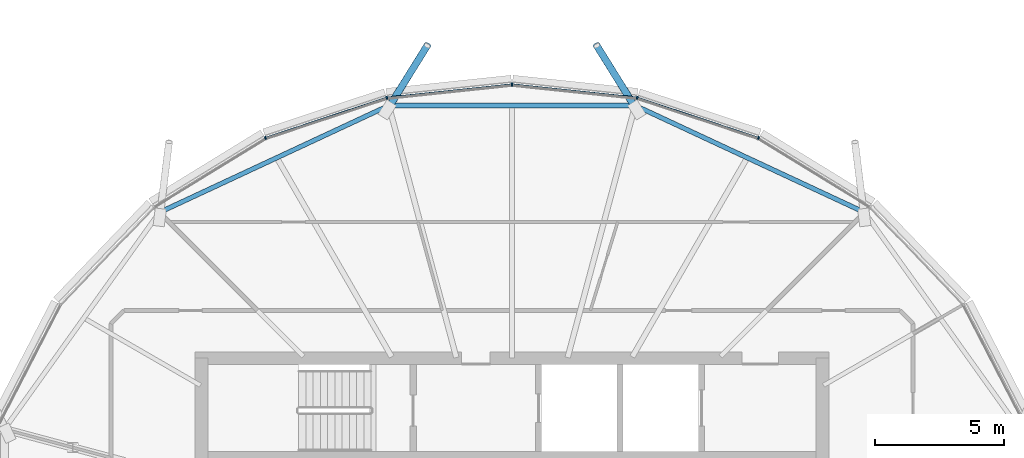
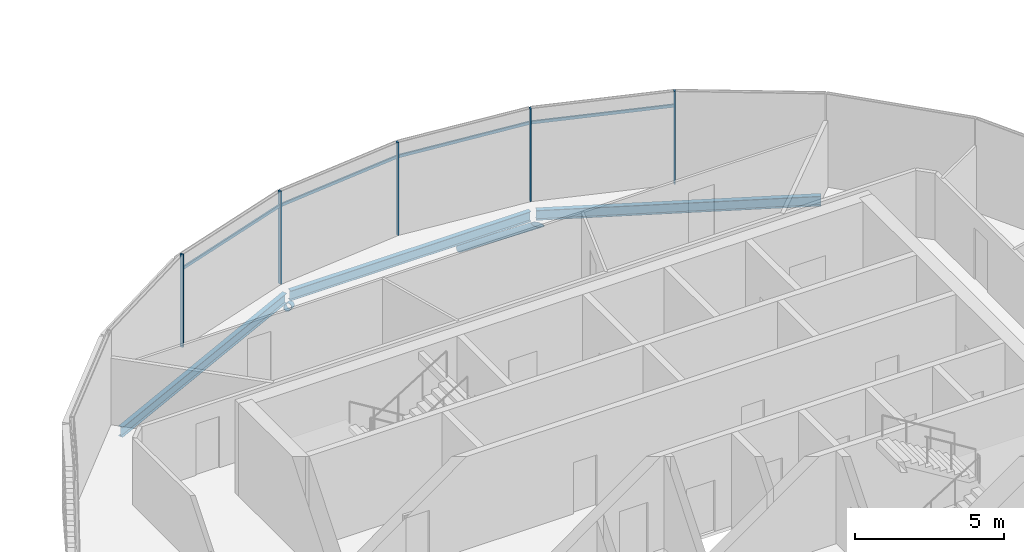
# One storey, part 9 of 35: 11 members, 3 beams, 1 element without a shape of its own.
"""IFC4 building model written with IfcOpenShell, lengths in metres."""

from ifc_helpers import new_model, si_unit, direction, frame, origin, origin_2d, place, context, subcontext, project, spatial, rectangle, hollow_circle, i_section, extrude, clip, halfspace, material, material_profile, profile_set, type_object, element, aggregate, save


model = new_model("IFC4")

# Units and contexts
model_context = context("Model", 3, precision=1e-05, world=origin(), true_north=direction((0.0, 1.0)))
body_context = subcontext(model_context, "Body", "Model", "MODEL_VIEW")
ifc_project = project(units=[si_unit("LENGTHUNIT", "METRE"), si_unit("AREAUNIT", "SQUARE_METRE"), si_unit("VOLUMEUNIT", "CUBIC_METRE"), si_unit("PLANEANGLEUNIT", "RADIAN"), si_unit("MASSUNIT", "GRAM", prefix="KILO")], contexts=[model_context])

# Site, building, storey
site_placement = place(None, origin())
site = spatial("IfcSite", under=ifc_project, at=site_placement, CompositionType="ELEMENT")
building_placement = place(site_placement, origin())
building = spatial("IfcBuilding", under=site, at=building_placement, Name="Rimbun Link Towers", CompositionType="ELEMENT")
storey_placement = place(building_placement, frame((0.0, 0.0, 229.5)))
storey = spatial("IfcBuildingStorey", under=building, at=storey_placement, Name="L56", CompositionType="ELEMENT", Elevation=229.5)

# Curtain wall, members
ifc_material_1 = material(Name="Aluminium 6063-T6 and low-iron glass", Category="aluminium")
curtain_wall_type = type_object("IfcCurtainWallType", Name="CW1-Z4 unitised vision wall (zone 4)", PredefinedType="NOTDEFINED", material=ifc_material_1)
curtain_wall_placement = place(storey_placement, origin())
curtain_wall = element("IfcCurtainWall", 1, at=curtain_wall_placement, inside=storey, type_object=curtain_wall_type, Name="CW1 L56 T1", PredefinedType="NOTDEFINED")
ifc_material_2 = material(Name="Aluminium 6063-T6", Category="aluminium")
ifc_material_profile_1 = material_profile(ifc_material_2, rectangle(XDim=0.1201171875, YDim=0.06005859375, at=origin_2d()), Name="MULLION 60X120")
ifc_profile_set_1 = profile_set([ifc_material_profile_1], Name="Aluminium 6063-T6")
member_type_1 = type_object("IfcMemberType", Name="CW1 mullion 60X120", PredefinedType="MULLION", material=ifc_profile_set_1)
member_1_placement = place(storey_placement, frame((-22.220458984375, 16.51611328125, 0.0), z_axis=(0.0, 0.0, 1.0), x_axis=(0.421702193119, 0.90673439348, 0.0)))
member_1 = element("IfcMember", 2, at=member_1_placement, type_object=member_type_1, Name="CW1 mullion", PredefinedType="MULLION", context=body_context, shape_type="SweptSolid", body=[
    extrude(rectangle(XDim=0.1201171875, YDim=0.06005859375, at=origin_2d()), origin(), (0.0, 0.0, 1.0), 3.800048828125),
])
member_2_placement = place(storey_placement, frame((-26.9111328125, 18.070556640625, 0.0), z_axis=(0.0, 0.0, 1.0), x_axis=(0.210870449229, 0.977514017108, 0.0)))
member_2 = element("IfcMember", 3, at=member_2_placement, type_object=member_type_1, Name="CW1 mullion", PredefinedType="MULLION", context=body_context, shape_type="SweptSolid", body=[
    extrude(rectangle(XDim=0.1201171875, YDim=0.06005859375, at=origin_2d()), origin(), (0.0, 0.0, 1.0), 3.800048828125),
])
member_3_placement = place(storey_placement, frame((-31.75, 18.580322265625, 0.0), z_axis=(0.0, 0.0, 1.0), x_axis=(0.0, 1.0, 0.0)))
member_3 = element("IfcMember", 4, at=member_3_placement, type_object=member_type_1, Name="CW1 mullion", PredefinedType="MULLION", context=body_context, shape_type="SweptSolid", body=[
    extrude(rectangle(XDim=0.1201171875, YDim=0.06005859375, at=origin_2d()), origin(), (0.0, 0.0, 1.0), 3.800048828125),
])
member_4_placement = place(storey_placement, frame((-36.5888671875, 18.070556640625, 0.0), z_axis=(0.0, 0.0, 1.0), x_axis=(-0.210870449229, 0.977514017108, 0.0)))
member_4 = element("IfcMember", 5, at=member_4_placement, type_object=member_type_1, Name="CW1 mullion", PredefinedType="MULLION", context=body_context, shape_type="SweptSolid", body=[
    extrude(rectangle(XDim=0.1201171875, YDim=0.06005859375, at=origin_2d()), origin(), (0.0, 0.0, 1.0), 3.800048828125),
])
member_5_placement = place(storey_placement, frame((-41.279541015625, 16.51611328125, 0.0), z_axis=(0.0, 0.0, 1.0), x_axis=(-0.421702193119, 0.90673439348, 0.0)))
member_5 = element("IfcMember", 6, at=member_5_placement, type_object=member_type_1, Name="CW1 mullion", PredefinedType="MULLION", context=body_context, shape_type="SweptSolid", body=[
    extrude(rectangle(XDim=0.1201171875, YDim=0.06005859375, at=origin_2d()), origin(), (0.0, 0.0, 1.0), 3.800048828125),
])
ifc_material_3 = material(Name="Aluminium 6063-T6", Category="aluminium")
ifc_material_profile_2 = material_profile(ifc_material_3, rectangle(XDim=0.06005859375, YDim=0.1201171875, at=origin_2d()), Name="TRANSOM 60X120")
ifc_profile_set_2 = profile_set([ifc_material_profile_2], Name="Aluminium 6063-T6")
member_type_2 = type_object("IfcMemberType", Name="CW1 transom 60X120", PredefinedType="USERDEFINED", material=ifc_profile_set_2)
member_6_placement = place(storey_placement, frame((-26.876953125, 18.0576171875, 3.199951171875), z_axis=(0.949238522039, -0.314557193968, 0.0), x_axis=(0.314557193968, 0.949238522039, 0.0)))
member_6 = element("IfcMember", 7, at=member_6_placement, type_object=member_type_2, Name="CW1 transom", ObjectType="TRANSOM", PredefinedType="USERDEFINED", context=body_context, shape_type="SweptSolid", body=[
    extrude(rectangle(XDim=0.06005859375, YDim=0.1201171875, at=origin_2d()), origin(), (0.0, 0.0, 1.0), 4.867919921875),
])
member_7_placement = place(storey_placement, frame((-31.714111328125, 18.574951171875, 3.199951171875), z_axis=(0.994495679835, -0.104777587248, 0.0), x_axis=(0.104777587248, 0.994495679835, 0.0)))
member_7 = element("IfcMember", 8, at=member_7_placement, type_object=member_type_2, Name="CW1 transom", ObjectType="TRANSOM", PredefinedType="USERDEFINED", context=body_context, shape_type="SweptSolid", body=[
    extrude(rectangle(XDim=0.06005859375, YDim=0.1201171875, at=origin_2d()), origin(), (0.0, 0.0, 1.0), 4.79296875),
])
member_8_placement = place(storey_placement, frame((-36.552490234375, 18.07275390625, 3.199951171875), z_axis=(0.994495679835, 0.104777587248, 0.0), x_axis=(-0.104777587248, 0.994495679835, 0.0)))
member_8 = element("IfcMember", 9, at=member_8_placement, type_object=member_type_2, Name="CW1 transom", ObjectType="TRANSOM", PredefinedType="USERDEFINED", context=body_context, shape_type="SweptSolid", body=[
    extrude(rectangle(XDim=0.06005859375, YDim=0.1201171875, at=origin_2d()), origin(), (0.0, 0.0, 1.0), 4.79296875),
])
member_9_placement = place(storey_placement, frame((-41.243896484375, 16.5263671875, 3.199951171875), z_axis=(0.949238522039, 0.314557193968, 0.0), x_axis=(-0.314557193968, 0.949238522039, 0.0)))
member_9 = element("IfcMember", 10, at=member_9_placement, type_object=member_type_2, Name="CW1 transom", ObjectType="TRANSOM", PredefinedType="USERDEFINED", context=body_context, shape_type="SweptSolid", body=[
    extrude(rectangle(XDim=0.06005859375, YDim=0.1201171875, at=origin_2d()), origin(), (0.0, 0.0, 1.0), 4.867919921875),
])
aggregate(curtain_wall, [member_1, member_2, member_3, member_4, member_5, member_6, member_7, member_8, member_9])

# Members
ifc_material_4 = material(Name="Steel S355J2H", Category="steel")
ifc_material_profile_3 = material_profile(ifc_material_4, hollow_circle(Radius=0.136474609375, WallThickness=0.012451171875, at=origin_2d()), Name="CHS 273x12.5")
ifc_profile_set_3 = profile_set([ifc_material_profile_3], Name="Steel S355J2H")
member_type_3 = type_object("IfcMemberType", Name="Floor edge link CHS 273x12.5", PredefinedType="BRACE", material=ifc_profile_set_3)
for number, where, z_axis, x_axis, name in (
    (11, (-27.002197265625, 17.71923828125, -0.787109375), (-0.440685642212, 0.708177632784, -0.551616356875), (-0.849034133732, -0.528337997648, 0.0), "Floor edge link T1 L56 05"),
    (12, (-36.497802734375, 17.71923828125, -0.787109375), (0.440685642212, 0.708177632784, -0.551616356875), (-0.849034133732, 0.528337997648, 0.0), "Floor edge link T1 L56 07"),
):
    element("IfcMember", number, at=place(storey_placement, frame(where, z_axis=z_axis, x_axis=x_axis)), inside=storey, type_object=member_type_3, Name=name, PredefinedType="BRACE", context=body_context, shape_type="Clipping", body=[
        clip(extrude(hollow_circle(Radius=0.136474609375, WallThickness=0.012451171875, at=origin_2d()), frame((0.0, 0.0, -0.430908203125)), (0.0, 0.0, 1.0), 3.806884765625), halfspace(frame((0.0, 0.0, -0.203125), z_axis=(0.0, 0.834097952778, -0.551616356875)), False)),
    ])

# Beams
ifc_material_5 = material(Name="Steel S355J2", Category="steel")
ifc_material_profile_4 = material_profile(ifc_material_5, i_section(OverallWidth=0.177978515625, OverallDepth=0.406494140625, WebThickness=0.0078125, FlangeThickness=0.0126953125, at=origin_2d()), Name="UB 406x178x60")
ifc_profile_set_4 = profile_set([ifc_material_profile_4], Name="Steel S355J2")
beam_type = type_object("IfcBeamType", Name="UB 406x178x60", PredefinedType="BEAM", material=ifc_profile_set_4)
beam_1_placement = place(storey_placement, frame((-18.20361328125, 13.673583984375, -0.34326171875), z_axis=(-0.906424399084, 0.422368096269, 0.0), x_axis=(-0.422368096269, -0.906424399084, 0.0)))
element("IfcBeam", 13, at=beam_1_placement, inside=storey, type_object=beam_type, Name="Edge beam T1 L56 03-05", PredefinedType="BEAM", context=body_context, shape_type="SweptSolid", body=[
    extrude(i_section(OverallWidth=0.177978515625, OverallDepth=0.406494140625, WebThickness=0.0078125, FlangeThickness=0.0126953125, at=origin_2d()), origin(), (0.0, 0.0, 1.0), 9.58544921875),
])
beam_2_placement = place(storey_placement, frame((-27.098388671875, 17.767578125, -0.34326171875), z_axis=(-1.0, 0.0, 0.0), x_axis=(0.0, -1.0, 0.0)))
element("IfcBeam", 14, at=beam_2_placement, inside=storey, type_object=beam_type, Name="Edge beam T1 L56 05-07", PredefinedType="BEAM", context=body_context, shape_type="SweptSolid", body=[
    extrude(i_section(OverallWidth=0.177978515625, OverallDepth=0.406494140625, WebThickness=0.0078125, FlangeThickness=0.0126953125, at=origin_2d()), origin(), (0.0, 0.0, 1.0), 9.30322265625),
])
beam_3_placement = place(storey_placement, frame((-36.60791015625, 17.72216796875, -0.34326171875), z_axis=(-0.906424399084, -0.422368096269, 0.0), x_axis=(0.422368096269, -0.906424399084, 0.0)))
element("IfcBeam", 15, at=beam_3_placement, inside=storey, type_object=beam_type, Name="Edge beam T1 L56 07-09", PredefinedType="BEAM", context=body_context, shape_type="SweptSolid", body=[
    extrude(i_section(OverallWidth=0.177978515625, OverallDepth=0.406494140625, WebThickness=0.0078125, FlangeThickness=0.0126953125, at=origin_2d()), origin(), (0.0, 0.0, 1.0), 9.58544921875),
])

save(model, "model.ifc")
